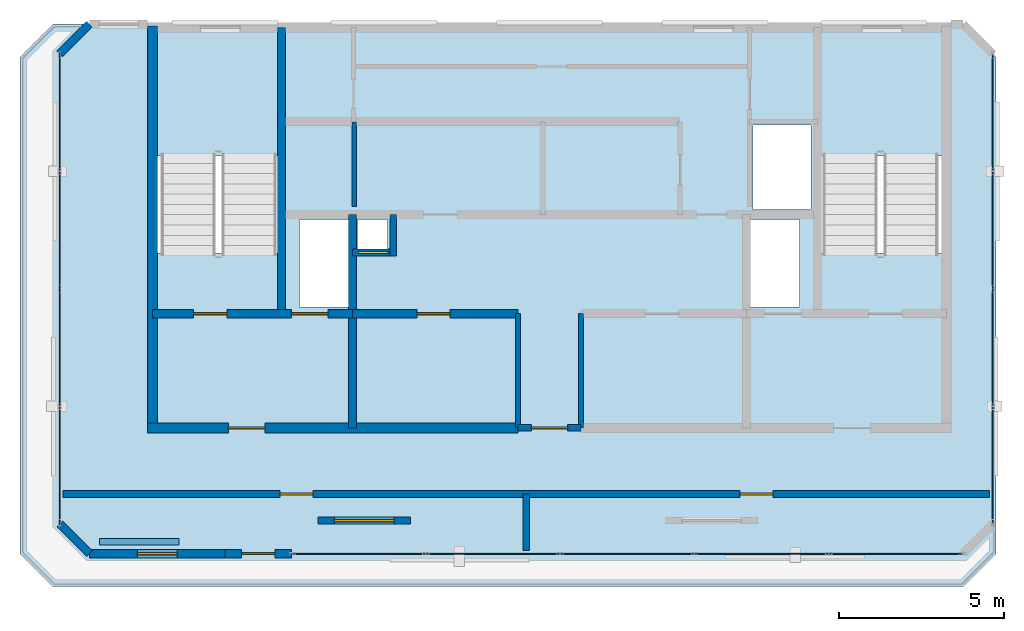
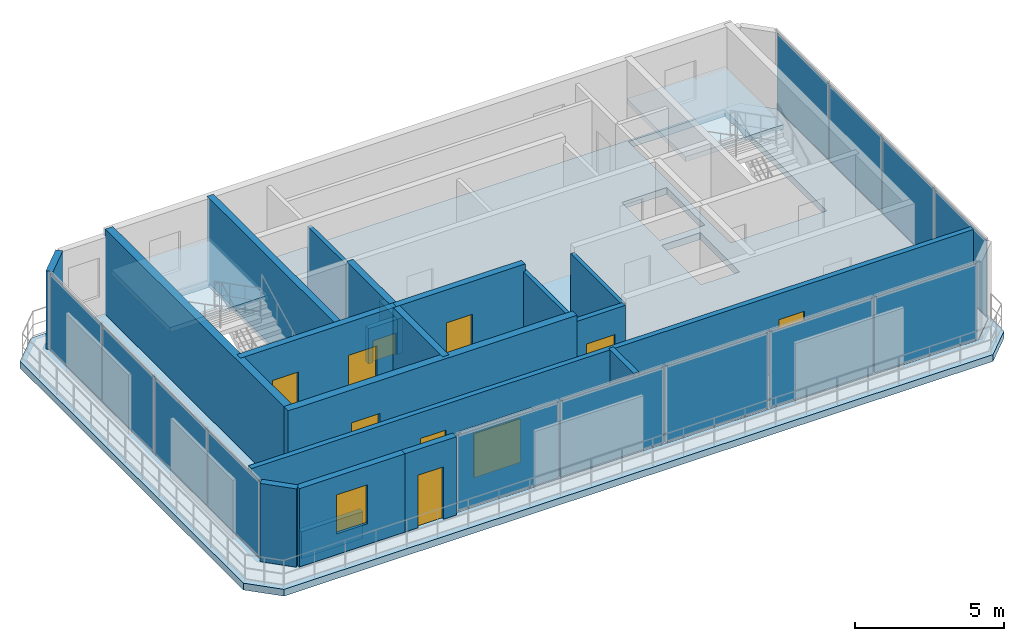
# One storey, part 5 of 7: 20 walls, 13 plates, 9 doors, 4 slabs, 2 windows, 11 openings, 5 elements without a shape of their own.
"""IFC4 building model written with IfcOpenShell, lengths in metres."""

from ifc_helpers import new_model, si_unit, direction, frame, frame_2d, origin, origin_2d, place, context, subcontext, project, spatial, polyline, rectangle, outline, extrude, material, layer, layer_set, type_object, element, fill, aggregate, save


model = new_model("IFC4")

# Units and contexts
model_context = context("Model", 3, precision=1e-05, world=origin(), true_north=direction((0.0, 1.0)))
body_context = subcontext(model_context, "Body", "Model", "MODEL_VIEW")
ifc_project = project(units=[si_unit("LENGTHUNIT", "METRE"), si_unit("AREAUNIT", "SQUARE_METRE"), si_unit("VOLUMEUNIT", "CUBIC_METRE"), si_unit("PLANEANGLEUNIT", "RADIAN"), si_unit("MASSUNIT", "GRAM", prefix="KILO")], contexts=[model_context])

# Site, building, storey
site_placement = place(None, origin())
site = spatial("IfcSite", under=ifc_project, at=site_placement, CompositionType="ELEMENT")
building_placement = place(site_placement, origin())
building = spatial("IfcBuilding", under=site, at=building_placement, Name="Catumbela Crestline Tower", CompositionType="ELEMENT")
storey_placement = place(building_placement, frame((0.0, 0.0, 308.0)))
storey = spatial("IfcBuildingStorey", under=building, at=storey_placement, Name="L79", CompositionType="ELEMENT", Elevation=308.0)

# Curtain wall, plates
ifc_material_1 = material(Name="Aluminium alloy AW-6060-T66", Category="aluminium")
ifc_layer_1 = layer(ifc_material_1, 0.18, Name="Aluminium alloy AW-6060-T66")
ifc_layer_set_1 = layer_set([ifc_layer_1], Name="Aluminium alloy AW-6060-T66")
curtain_wall_type = type_object("IfcCurtainWallType", Name="CWS-OBS", PredefinedType="USERDEFINED", material=ifc_layer_set_1)
curtain_wall_1_placement = place(storey_placement, origin())
curtain_wall_1 = element("IfcCurtainWall", 1, at=curtain_wall_1_placement, inside=storey, type_object=curtain_wall_type, Name="L79 Stick Curtain Wall CW-L79-E0S2", ObjectType="STICK", PredefinedType="USERDEFINED")
ifc_material_2 = material(Name="Low-E laminated solar-control double glazing", Category="glass")
ifc_layer_2 = layer(ifc_material_2, 0.036, Name="Low-E laminated solar-control double glazing")
ifc_layer_set_2 = layer_set([ifc_layer_2], Name="Low-E laminated solar-control double glazing")
plate_type = type_object("IfcPlateType", Name="PNL-GLZ-OB", PredefinedType="CURTAIN_PANEL", material=ifc_layer_set_2)
plate_1_placement = place(storey_placement, frame((22.2462, 27.0, 0.06), z_axis=(0.0, 0.0, 1.0), x_axis=(1.0, 0.0, 0.0)))
plate_1 = element("IfcPlate", 2, at=plate_1_placement, type_object=plate_type, Name="CWS-OBS panel 1.1", PredefinedType="CURTAIN_PANEL", context=body_context, shape_type="SweptSolid", body=[
    extrude(rectangle(XDim=3.9625, YDim=0.034, at=origin_2d()), origin(), (0.0, 0.0, 1.0), 3.09),
])
plate_2_placement = place(storey_placement, frame((26.29, 27.0, 0.06), z_axis=(0.0, 0.0, 1.0), x_axis=(1.0, 0.0, 0.0)))
plate_2 = element("IfcPlate", 3, at=plate_2_placement, type_object=plate_type, Name="CWS-OBS panel 2.1", PredefinedType="CURTAIN_PANEL", context=body_context, shape_type="SweptSolid", body=[
    extrude(rectangle(XDim=3.995, YDim=0.034, at=origin_2d()), origin(), (0.0, 0.0, 1.0), 3.09),
])
plate_3_placement = place(storey_placement, frame((30.35, 27.0, 0.06), z_axis=(0.0, 0.0, 1.0), x_axis=(1.0, 0.0, 0.0)))
plate_3 = element("IfcPlate", 4, at=plate_3_placement, type_object=plate_type, Name="CWS-OBS panel 3.1", PredefinedType="CURTAIN_PANEL", context=body_context, shape_type="SweptSolid", body=[
    extrude(rectangle(XDim=3.995, YDim=0.034, at=origin_2d()), origin(), (0.0, 0.0, 1.0), 3.09),
])
plate_4_placement = place(storey_placement, frame((34.41, 27.0, 0.06), z_axis=(0.0, 0.0, 1.0), x_axis=(1.0, 0.0, 0.0)))
plate_4 = element("IfcPlate", 5, at=plate_4_placement, type_object=plate_type, Name="CWS-OBS panel 4.1", PredefinedType="CURTAIN_PANEL", context=body_context, shape_type="SweptSolid", body=[
    extrude(rectangle(XDim=3.995, YDim=0.034, at=origin_2d()), origin(), (0.0, 0.0, 1.0), 3.09),
])
plate_5_placement = place(storey_placement, frame((38.4538, 27.0, 0.06), z_axis=(0.0, 0.0, 1.0), x_axis=(1.0, 0.0, 0.0)))
plate_5 = element("IfcPlate", 6, at=plate_5_placement, type_object=plate_type, Name="CWS-OBS panel 5.1", PredefinedType="CURTAIN_PANEL", context=body_context, shape_type="SweptSolid", body=[
    extrude(rectangle(XDim=3.9625, YDim=0.034, at=origin_2d()), origin(), (0.0, 0.0, 1.0), 3.09),
])
aggregate(curtain_wall_1, [plate_1, plate_2, plate_3, plate_4, plate_5])

curtain_wall_2_placement = place(storey_placement, origin())
curtain_wall_2 = element("IfcCurtainWall", 7, at=curtain_wall_2_placement, inside=storey, type_object=curtain_wall_type, Name="L79 Stick Curtain Wall CW-L79-E2S1", ObjectType="STICK", PredefinedType="USERDEFINED")
plate_6_placement = place(storey_placement, frame((41.4, 29.6912, 0.06), z_axis=(0.0, 0.0, 1.0), x_axis=(0.0, 1.0, 0.0)))
plate_6 = element("IfcPlate", 8, at=plate_6_placement, type_object=plate_type, Name="CWS-OBS panel 1.1", PredefinedType="CURTAIN_PANEL", context=body_context, shape_type="SweptSolid", body=[
    extrude(rectangle(XDim=3.4525, YDim=0.034, at=origin_2d()), origin(), (0.0, 0.0, 1.0), 3.09),
])
plate_7_placement = place(storey_placement, frame((41.4, 33.225, 0.06), z_axis=(0.0, 0.0, 1.0), x_axis=(0.0, 1.0, 0.0)))
plate_7 = element("IfcPlate", 9, at=plate_7_placement, type_object=plate_type, Name="CWS-OBS panel 2.1", PredefinedType="CURTAIN_PANEL", context=body_context, shape_type="SweptSolid", body=[
    extrude(rectangle(XDim=3.485, YDim=0.034, at=origin_2d()), origin(), (0.0, 0.0, 1.0), 3.09),
])
plate_8_placement = place(storey_placement, frame((41.4, 36.775, 0.06), z_axis=(0.0, 0.0, 1.0), x_axis=(0.0, 1.0, 0.0)))
plate_8 = element("IfcPlate", 10, at=plate_8_placement, type_object=plate_type, Name="CWS-OBS panel 3.1", PredefinedType="CURTAIN_PANEL", context=body_context, shape_type="SweptSolid", body=[
    extrude(rectangle(XDim=3.485, YDim=0.034, at=origin_2d()), origin(), (0.0, 0.0, 1.0), 3.09),
])
plate_9_placement = place(storey_placement, frame((41.4, 40.3088, 0.06), z_axis=(0.0, 0.0, 1.0), x_axis=(0.0, 1.0, 0.0)))
plate_9 = element("IfcPlate", 11, at=plate_9_placement, type_object=plate_type, Name="CWS-OBS panel 4.1", PredefinedType="CURTAIN_PANEL", context=body_context, shape_type="SweptSolid", body=[
    extrude(rectangle(XDim=3.4525, YDim=0.034, at=origin_2d()), origin(), (0.0, 0.0, 1.0), 3.09),
])
aggregate(curtain_wall_2, [plate_6, plate_7, plate_8, plate_9])

curtain_wall_3_placement = place(storey_placement, origin())
curtain_wall_3 = element("IfcCurtainWall", 12, at=curtain_wall_3_placement, inside=storey, type_object=curtain_wall_type, Name="L79 Stick Curtain Wall CW-L79-E6S1", ObjectType="STICK", PredefinedType="USERDEFINED")
plate_10_placement = place(storey_placement, frame((13.2, 40.3088, 0.06), z_axis=(0.0, 0.0, 1.0), x_axis=(0.0, -1.0, 0.0)))
plate_10 = element("IfcPlate", 13, at=plate_10_placement, type_object=plate_type, Name="CWS-OBS panel 1.1", PredefinedType="CURTAIN_PANEL", context=body_context, shape_type="SweptSolid", body=[
    extrude(rectangle(XDim=3.4525, YDim=0.034, at=origin_2d()), origin(), (0.0, 0.0, 1.0), 3.09),
])
plate_11_placement = place(storey_placement, frame((13.2, 36.775, 0.06), z_axis=(0.0, 0.0, 1.0), x_axis=(0.0, -1.0, 0.0)))
plate_11 = element("IfcPlate", 14, at=plate_11_placement, type_object=plate_type, Name="CWS-OBS panel 2.1", PredefinedType="CURTAIN_PANEL", context=body_context, shape_type="SweptSolid", body=[
    extrude(rectangle(XDim=3.485, YDim=0.034, at=origin_2d()), origin(), (0.0, 0.0, 1.0), 3.09),
])
plate_12_placement = place(storey_placement, frame((13.2, 33.225, 0.06), z_axis=(0.0, 0.0, 1.0), x_axis=(0.0, -1.0, 0.0)))
plate_12 = element("IfcPlate", 15, at=plate_12_placement, type_object=plate_type, Name="CWS-OBS panel 3.1", PredefinedType="CURTAIN_PANEL", context=body_context, shape_type="SweptSolid", body=[
    extrude(rectangle(XDim=3.485, YDim=0.034, at=origin_2d()), origin(), (0.0, 0.0, 1.0), 3.09),
])
plate_13_placement = place(storey_placement, frame((13.2, 29.6912, 0.06), z_axis=(0.0, 0.0, 1.0), x_axis=(0.0, -1.0, 0.0)))
plate_13 = element("IfcPlate", 16, at=plate_13_placement, type_object=plate_type, Name="CWS-OBS panel 4.1", PredefinedType="CURTAIN_PANEL", context=body_context, shape_type="SweptSolid", body=[
    extrude(rectangle(XDim=3.4525, YDim=0.034, at=origin_2d()), origin(), (0.0, 0.0, 1.0), 3.09),
])
aggregate(curtain_wall_3, [plate_10, plate_11, plate_12, plate_13])

# Slabs
ifc_material_3 = material(Name="Concrete C45/55", Category="concrete")
ifc_layer_3 = layer(ifc_material_3, 0.28, Name="Concrete C45/55")
ifc_layer_set_3 = layer_set([ifc_layer_3], Name="Concrete C45/55")
slab_type_1 = type_object("IfcSlabType", Name="SL-280C", PredefinedType="FLOOR", material=ifc_layer_set_3)
slab_1_placement = place(storey_placement, frame((0.0, 0.0, -0.28)))
element("IfcSlab", 17, at=slab_1_placement, inside=storey, type_object=slab_type_1, Name="L79 Structural Floor Slab", PredefinedType="FLOOR", context=body_context, shape_type="SweptSolid", body=[
    extrude(outline(polyline([(14.1, 27.0), (40.5, 27.0), (41.4, 27.9), (41.4, 42.1), (40.5, 43.0), (14.1, 43.0), (13.2, 42.1), (13.2, 27.9), (14.1, 27.0)]), holes=[polyline([(16.13, 36.08), (19.87, 36.08), (19.87, 42.92), (16.13, 42.92), (16.13, 36.08)]), polyline([(36.13, 36.08), (39.87, 36.08), (39.87, 42.92), (36.13, 42.92), (36.13, 36.08)]), polyline([(20.45, 34.45), (21.95, 34.45), (21.95, 37.1), (20.45, 37.1), (20.45, 34.45)]), polyline([(34.05, 34.45), (35.55, 34.45), (35.55, 37.1), (34.05, 37.1), (34.05, 34.45)]), polyline([(34.15, 37.4), (35.9, 37.4), (35.9, 39.95), (34.15, 39.95), (34.15, 37.4)]), polyline([(22.2, 36.2), (23.1, 36.2), (23.1, 37.1), (22.2, 37.1), (22.2, 36.2)])]), origin(), (0.0, 0.0, 1.0), 0.28),
])
ifc_layer_4 = layer(ifc_material_3, 0.28, Name="Concrete C45/55")
ifc_layer_set_4 = layer_set([ifc_layer_4], Name="Concrete C45/55")
slab_type_2 = type_object("IfcSlabType", Name="SR-280C", PredefinedType="ROOF", material=ifc_layer_set_4)
slab_2_placement = place(storey_placement, frame((0.0, 0.0, -0.28)))
element("IfcSlab", 18, at=slab_2_placement, inside=storey, type_object=slab_type_2, Name="L79 Stepped Terrace Cap Roof Slab 1", PredefinedType="ROOF", context=body_context, shape_type="SweptSolid", body=[
    extrude(outline(polyline([(41.5, 27.0), (40.5, 26.0), (13.0, 26.0), (12.0, 27.0), (12.0, 42.0), (13.0, 43.0), (14.0859, 43.0), (13.19, 42.1041), (13.19, 27.8959), (14.0959, 26.99), (40.5041, 26.99), (41.41, 27.8959), (41.41, 42.09), (41.5, 42.0), (41.5, 27.0)])), origin(), (0.0, 0.0, 1.0), 0.28),
])

# Stair, slab
stair_type = type_object("IfcStairType", Name="ST-DLG", PredefinedType="HALF_TURN_STAIR", material=ifc_material_3)
stair_1_placement = place(storey_placement, origin())
stair_1 = element("IfcStair", 19, at=stair_1_placement, inside=storey, type_object=stair_type, Name="L79 West Core Pressurised Exit Stair ST-01", PredefinedType="HALF_TURN_STAIR")
ifc_layer_5 = layer(ifc_material_3, 0.2, Name="Concrete C45/55")
ifc_layer_set_5 = layer_set([ifc_layer_5], Name="Concrete C45/55")
slab_type_3 = type_object("IfcSlabType", Name="SL-LND", PredefinedType="LANDING", material=ifc_layer_set_5)
slab_3_placement = place(storey_placement, frame((0.0, 0.0, 1.55)))
slab_3 = element("IfcSlab", 20, at=slab_3_placement, type_object=slab_type_3, Name="ST-01 landing 1", PredefinedType="LANDING", context=body_context, shape_type="SweptSolid", body=[
    extrude(outline(polyline([(19.91, 39.02), (19.91, 42.96), (16.09, 42.96), (16.09, 39.02), (19.91, 39.02)])), origin(), (0.0, 0.0, 1.0), 0.2),
])
aggregate(stair_1, [slab_3])

stair_2_placement = place(storey_placement, origin())
stair_2 = element("IfcStair", 21, at=stair_2_placement, inside=storey, type_object=stair_type, Name="L79 East Core Pressurised Exit Stair ST-02", PredefinedType="HALF_TURN_STAIR")
slab_4_placement = place(storey_placement, frame((0.0, 0.0, 1.55)))
slab_4 = element("IfcSlab", 22, at=slab_4_placement, type_object=slab_type_3, Name="ST-02 landing 1", PredefinedType="LANDING", context=body_context, shape_type="SweptSolid", body=[
    extrude(outline(polyline([(39.91, 39.02), (39.91, 42.96), (36.09, 42.96), (36.09, 39.02), (39.91, 39.02)])), origin(), (0.0, 0.0, 1.0), 0.2),
])
aggregate(stair_2, [slab_4])

# Walls
ifc_material_4 = material(Name="Concrete C50/60", Category="concrete")
ifc_layer_6 = layer(ifc_material_4, 0.25, Name="Concrete C50/60")
ifc_layer_set_6 = layer_set([ifc_layer_6], Name="Concrete C50/60")
wall_type_1 = type_object("IfcWallType", Name="CW-250D", PredefinedType="SHEAR", material=ifc_layer_set_6)
wall_1_placement = place(storey_placement, frame((19.9, 34.25, 0.0), z_axis=(0.0, 0.0, 1.0), x_axis=(0.0, 1.0, 0.0)))
element("IfcWall", 23, at=wall_1_placement, inside=storey, type_object=wall_type_1, Name="L79 Structural Core Shear Wall WWEB", PredefinedType="SHEAR", context=body_context, shape_type="SweptSolid", body=[
    extrude(rectangle(XDim=8.65, YDim=0.25, at=frame_2d((4.325, 0.0))), origin(), (0.0, 0.0, 1.0), 3.5),
])
wall_2_placement = place(storey_placement, frame((22.05, 30.8, 0.0), z_axis=(0.0, 0.0, 1.0), x_axis=(0.0, 1.0, 0.0)))
element("IfcWall", 24, at=wall_2_placement, inside=storey, type_object=wall_type_1, Name="L79 Structural Core Shear Wall FFW", PredefinedType="SHEAR", context=body_context, shape_type="SweptSolid", body=[
    extrude(rectangle(XDim=6.45, YDim=0.25, at=frame_2d((3.225, 0.0))), origin(), (0.0, 0.0, 1.0), 3.5),
])

# Wall, openings, doors
wall_3_placement = place(storey_placement, frame((16.0, 34.25, 0.0), z_axis=(0.0, 0.0, 1.0), x_axis=(1.0, 0.0, 0.0)))
wall_3 = element("IfcWall", 25, at=wall_3_placement, inside=storey, type_object=wall_type_1, Name="L79 Structural Core Shear Wall ST1S", PredefinedType="SHEAR", context=body_context, shape_type="SweptSolid", body=[
    extrude(rectangle(XDim=6.05, YDim=0.25, at=frame_2d((3.025, 0.0))), origin(), (0.0, 0.0, 1.0), 3.5),
])
opening_1_placement = place(wall_3_placement, frame((1.25, 0.0, 0.0)))
opening_1 = element("IfcOpeningElement", 26, at=opening_1_placement, cuts=wall_3, Name="Opening DF9-100", PredefinedType="OPENING", context=body_context, shape_type="SweptSolid", body=[
    extrude(rectangle(XDim=1.0, YDim=2.15, at=frame_2d((0.5, 1.075))), frame((0.0, 0.135, 0.0), z_axis=(0.0, -1.0, 0.0), x_axis=(1.0, 0.0, 0.0)), (0.0, 0.0, 1.0), 0.27),
])
opening_2_placement = place(wall_3_placement, frame((4.2, 0.0, 0.0)))
opening_2 = element("IfcOpeningElement", 27, at=opening_2_placement, cuts=wall_3, Name="Opening LD-110", PredefinedType="OPENING", context=body_context, shape_type="SweptSolid", body=[
    extrude(rectangle(XDim=1.1, YDim=2.15, at=frame_2d((0.55, 1.075))), frame((0.0, 0.135, 0.0), z_axis=(0.0, -1.0, 0.0), x_axis=(1.0, 0.0, 0.0)), (0.0, 0.0, 1.0), 0.27),
])
ifc_material_5 = material(Name="Stainless steel EN 1.4401", Category="steel")
door_type_1 = type_object("IfcDoorType", Name="DF9-100", OperationType="NOTDEFINED", PredefinedType="DOOR", material=ifc_material_5)
door_1_placement = place(opening_1_placement, origin())
door_1 = element("IfcDoor", 28, at=door_1_placement, inside=storey, type_object=door_type_1, Name="L79 Interior Door DR-L79-ST01", OperationType="SINGLE_SWING_LEFT", OverallHeight=2.15, OverallWidth=1.0, PredefinedType="DOOR", context=body_context, shape_type="SweptSolid", body=[
    extrude(rectangle(XDim=1.0, YDim=2.15, at=frame_2d((0.5, 1.075))), frame((0.0, 0.025, 0.0), z_axis=(0.0, -1.0, 0.0), x_axis=(1.0, 0.0, 0.0)), (0.0, 0.0, 1.0), 0.05),
])
fill(opening_1, door_1)
door_type_2 = type_object("IfcDoorType", Name="LD-110", OperationType="NOTDEFINED", PredefinedType="DOOR", material=ifc_material_5)
door_2_placement = place(opening_2_placement, origin())
door_2 = element("IfcDoor", 29, at=door_2_placement, inside=storey, type_object=door_type_2, Name="L79 Lift Landing Sliding Door FL-01", OperationType="DOUBLE_DOOR_SLIDING", OverallHeight=2.15, OverallWidth=1.1, PredefinedType="DOOR", context=body_context, shape_type="SweptSolid", body=[
    extrude(rectangle(XDim=1.1, YDim=2.15, at=frame_2d((0.55, 1.075))), frame((0.0, 0.025, 0.0), z_axis=(0.0, -1.0, 0.0), x_axis=(1.0, 0.0, 0.0)), (0.0, 0.0, 1.0), 0.05),
])
fill(opening_2, door_2)

# Wall, opening, door
wall_4_placement = place(storey_placement, frame((22.05, 34.25, 0.0), z_axis=(0.0, 0.0, 1.0), x_axis=(1.0, 0.0, 0.0)))
wall_4 = element("IfcWall", 30, at=wall_4_placement, inside=storey, type_object=wall_type_1, Name="L79 Structural Core Shear Wall LIFTS-W", PredefinedType="SHEAR", context=body_context, shape_type="SweptSolid", body=[
    extrude(rectangle(XDim=5.0, YDim=0.25, at=frame_2d((2.5, 0.0))), origin(), (0.0, 0.0, 1.0), 3.5),
])
opening_3_placement = place(wall_4_placement, frame((1.95, 0.0, 0.0)))
opening_3 = element("IfcOpeningElement", 31, at=opening_3_placement, cuts=wall_4, Name="Opening DF9-100", PredefinedType="OPENING", context=body_context, shape_type="SweptSolid", body=[
    extrude(rectangle(XDim=1.0, YDim=2.15, at=frame_2d((0.5, 1.075))), frame((0.0, 0.135, 0.0), z_axis=(0.0, -1.0, 0.0), x_axis=(1.0, 0.0, 0.0)), (0.0, 0.0, 1.0), 0.27),
])
door_3_placement = place(opening_3_placement, origin())
door_3 = element("IfcDoor", 32, at=door_3_placement, inside=storey, type_object=door_type_1, Name="L79 Interior Door DR-L79-RECL1", OperationType="SINGLE_SWING_LEFT", OverallHeight=2.15, OverallWidth=1.0, PredefinedType="DOOR", context=body_context, shape_type="SweptSolid", body=[
    extrude(rectangle(XDim=1.0, YDim=2.15, at=frame_2d((0.5, 1.075))), frame((0.0, 0.025, 0.0), z_axis=(0.0, -1.0, 0.0), x_axis=(1.0, 0.0, 0.0)), (0.0, 0.0, 1.0), 0.05),
])
fill(opening_3, door_3)

# Wall
ifc_layer_7 = layer(ifc_material_3, 0.3, Name="Concrete C45/55")
ifc_layer_set_7 = layer_set([ifc_layer_7], Name="Concrete C45/55")
wall_type_2 = type_object("IfcWallType", Name="CW-300C", PredefinedType="SHEAR", material=ifc_layer_set_7)
wall_5_placement = place(storey_placement, frame((16.0, 30.65, 0.0), z_axis=(0.0, 0.0, 1.0), x_axis=(0.0, 1.0, 0.0)))
element("IfcWall", 33, at=wall_5_placement, inside=storey, type_object=wall_type_2, Name="L79 Structural Core Shear Wall W", PredefinedType="SHEAR", context=body_context, shape_type="SweptSolid", body=[
    extrude(rectangle(XDim=12.3, YDim=0.3, at=frame_2d((6.15, 0.0))), origin(), (0.0, 0.0, 1.0), 3.5),
])

# Wall, opening, door
wall_6_placement = place(storey_placement, frame((15.85, 30.8, 0.0), z_axis=(0.0, 0.0, 1.0), x_axis=(1.0, 0.0, 0.0)))
wall_6 = element("IfcWall", 34, at=wall_6_placement, inside=storey, type_object=wall_type_2, Name="L79 Structural Core Shear Wall SW", PredefinedType="SHEAR", context=body_context, shape_type="SweptSolid", body=[
    extrude(rectangle(XDim=11.2, YDim=0.3, at=frame_2d((5.6, 0.0))), origin(), (0.0, 0.0, 1.0), 3.5),
])
opening_4_placement = place(wall_6_placement, frame((2.45, 0.0, 0.0)))
opening_4 = element("IfcOpeningElement", 35, at=opening_4_placement, cuts=wall_6, Name="Opening DF9-110", PredefinedType="OPENING", context=body_context, shape_type="SweptSolid", body=[
    extrude(rectangle(XDim=1.1, YDim=2.15, at=frame_2d((0.55, 1.075))), frame((0.0, 0.16, 0.0), z_axis=(0.0, -1.0, 0.0), x_axis=(1.0, 0.0, 0.0)), (0.0, 0.0, 1.0), 0.32),
])
door_type_3 = type_object("IfcDoorType", Name="DF9-110", OperationType="NOTDEFINED", PredefinedType="DOOR", material=ifc_material_5)
door_4_placement = place(opening_4_placement, origin())
door_4 = element("IfcDoor", 36, at=door_4_placement, inside=storey, type_object=door_type_3, Name="L79 Interior Door DR-L79-FFW-S", OperationType="SINGLE_SWING_LEFT", OverallHeight=2.15, OverallWidth=1.1, PredefinedType="DOOR", context=body_context, shape_type="SweptSolid", body=[
    extrude(rectangle(XDim=1.1, YDim=2.15, at=frame_2d((0.55, 1.075))), frame((0.0, 0.025, 0.0), z_axis=(0.0, -1.0, 0.0), x_axis=(1.0, 0.0, 0.0)), (0.0, 0.0, 1.0), 0.05),
])
fill(opening_4, door_4)

ifc_material_6 = material(Name="Acoustic gypsum and mineral-wool partition")
ifc_layer_8 = layer(ifc_material_6, 0.2, Name="Acoustic gypsum and mineral-wool partition")
ifc_layer_set_8 = layer_set([ifc_layer_8], Name="Acoustic gypsum and mineral-wool partition")
wall_type_3 = type_object("IfcWallType", Name="WC-200", PredefinedType="PARTITIONING", material=ifc_layer_set_8)
wall_7_placement = place(storey_placement, frame((27.05, 30.8, 0.0), z_axis=(0.0, 0.0, 1.0), x_axis=(1.0, 0.0, 0.0)))
wall_7 = element("IfcWall", 37, at=wall_7_placement, inside=storey, type_object=wall_type_3, Name="L79 Interior Partition PW-L79-CLOBS", PredefinedType="PARTITIONING", context=body_context, shape_type="SweptSolid", body=[
    extrude(rectangle(XDim=1.9, YDim=0.2, at=frame_2d((0.95, 0.0))), origin(), (0.0, 0.0, 1.0), 3.21),
])
opening_5_placement = place(wall_7_placement, frame((0.4, 0.0, 0.0)))
opening_5 = element("IfcOpeningElement", 38, at=opening_5_placement, cuts=wall_7, Name="Opening DF9-110", PredefinedType="OPENING", context=body_context, shape_type="SweptSolid", body=[
    extrude(rectangle(XDim=1.1, YDim=2.15, at=frame_2d((0.55, 1.075))), frame((0.0, 0.11, 0.0), z_axis=(0.0, -1.0, 0.0), x_axis=(1.0, 0.0, 0.0)), (0.0, 0.0, 1.0), 0.22),
])
door_5_placement = place(opening_5_placement, origin())
door_5 = element("IfcDoor", 39, at=door_5_placement, inside=storey, type_object=door_type_3, Name="L79 Interior Door DR-L79-CLOBS", OperationType="SINGLE_SWING_LEFT", OverallHeight=2.15, OverallWidth=1.1, PredefinedType="DOOR", context=body_context, shape_type="SweptSolid", body=[
    extrude(rectangle(XDim=1.1, YDim=2.15, at=frame_2d((0.55, 1.075))), frame((0.0, 0.025, 0.0), z_axis=(0.0, -1.0, 0.0), x_axis=(1.0, 0.0, 0.0)), (0.0, 0.0, 1.0), 0.05),
])
fill(opening_5, door_5)

# Wall, openings, doors
wall_8_placement = place(storey_placement, frame((13.3, 28.8, 0.0), z_axis=(0.0, 0.0, 1.0), x_axis=(1.0, 0.0, 0.0)))
wall_8 = element("IfcWall", 40, at=wall_8_placement, inside=storey, type_object=wall_type_3, Name="L79 Interior Partition PW-L79-CRP1", PredefinedType="PARTITIONING", context=body_context, shape_type="SweptSolid", body=[
    extrude(rectangle(XDim=28.0, YDim=0.2, at=frame_2d((14.0, 0.0))), origin(), (0.0, 0.0, 1.0), 3.21),
])
opening_6_placement = place(wall_8_placement, frame((6.55, 0.0, 0.0)))
opening_6 = element("IfcOpeningElement", 41, at=opening_6_placement, cuts=wall_8, Name="Opening DF9-100", PredefinedType="OPENING", context=body_context, shape_type="SweptSolid", body=[
    extrude(rectangle(XDim=1.0, YDim=2.15, at=frame_2d((0.5, 1.075))), frame((0.0, 0.11, 0.0), z_axis=(0.0, -1.0, 0.0), x_axis=(1.0, 0.0, 0.0)), (0.0, 0.0, 1.0), 0.22),
])
opening_7_placement = place(wall_8_placement, frame((20.45, 0.0, 0.0)))
opening_7 = element("IfcOpeningElement", 42, at=opening_7_placement, cuts=wall_8, Name="Opening DF9-100", PredefinedType="OPENING", context=body_context, shape_type="SweptSolid", body=[
    extrude(rectangle(XDim=1.0, YDim=2.15, at=frame_2d((0.5, 1.075))), frame((0.0, 0.11, 0.0), z_axis=(0.0, -1.0, 0.0), x_axis=(1.0, 0.0, 0.0)), (0.0, 0.0, 1.0), 0.22),
])
door_6_placement = place(opening_6_placement, origin())
door_6 = element("IfcDoor", 43, at=door_6_placement, inside=storey, type_object=door_type_1, Name="L79 Interior Door DR-L79-CRP1", OperationType="SINGLE_SWING_LEFT", OverallHeight=2.15, OverallWidth=1.0, PredefinedType="DOOR", context=body_context, shape_type="SweptSolid", body=[
    extrude(rectangle(XDim=1.0, YDim=2.15, at=frame_2d((0.5, 1.075))), frame((0.0, 0.025, 0.0), z_axis=(0.0, -1.0, 0.0), x_axis=(1.0, 0.0, 0.0)), (0.0, 0.0, 1.0), 0.05),
])
fill(opening_6, door_6)
door_7_placement = place(opening_7_placement, origin())
door_7 = element("IfcDoor", 44, at=door_7_placement, inside=storey, type_object=door_type_1, Name="L79 Interior Door DR-L79-CRP2", OperationType="SINGLE_SWING_RIGHT", OverallHeight=2.15, OverallWidth=1.0, PredefinedType="DOOR", context=body_context, shape_type="SweptSolid", body=[
    extrude(rectangle(XDim=1.0, YDim=2.15, at=frame_2d((0.5, 1.075))), frame((0.0, 0.025, 0.0), z_axis=(0.0, -1.0, 0.0), x_axis=(1.0, 0.0, 0.0)), (0.0, 0.0, 1.0), 0.05),
])
fill(opening_7, door_7)

# Wall
wall_9_placement = place(storey_placement, frame((27.3, 27.1, 0.0), z_axis=(0.0, 0.0, 1.0), x_axis=(0.0, 1.0, 0.0)))
element("IfcWall", 45, at=wall_9_placement, inside=storey, type_object=wall_type_3, Name="L79 Interior Partition PW-L79-CRPM", PredefinedType="PARTITIONING", context=body_context, shape_type="SweptSolid", body=[
    extrude(rectangle(XDim=1.7, YDim=0.2, at=frame_2d((0.85, 0.0))), origin(), (0.0, 0.0, 1.0), 3.21),
])

# Wall, opening, door
ifc_material_7 = material(Name="Angolan grey-ochre granite", Category="masonry")
ifc_layer_9 = layer(ifc_material_7, 0.25, Name="Angolan grey-ochre granite")
ifc_layer_set_9 = layer_set([ifc_layer_9], Name="Angolan grey-ochre granite")
wall_type_4 = type_object("IfcWallType", Name="WE-250", PredefinedType="STANDARD", material=ifc_layer_set_9)
wall_10_placement = place(storey_placement, frame((18.2, 27.0, 0.0), z_axis=(0.0, 0.0, 1.0), x_axis=(1.0, 0.0, 0.0)))
wall_10 = element("IfcWall", 46, at=wall_10_placement, inside=storey, type_object=wall_type_4, Name="L79 Exterior Threshold Portal Wall DR-L79-STEP-S1", PredefinedType="STANDARD", context=body_context, shape_type="SweptSolid", body=[
    extrude(rectangle(XDim=2.0, YDim=0.25, at=frame_2d((1.0, 0.0))), origin(), (0.0, 0.0, 1.0), 3.21),
])
opening_8_placement = place(wall_10_placement, frame((0.5, 0.0, 0.0)))
opening_8 = element("IfcOpeningElement", 47, at=opening_8_placement, cuts=wall_10, Name="Opening DT-L79", PredefinedType="OPENING", context=body_context, shape_type="SweptSolid", body=[
    extrude(rectangle(XDim=1.0, YDim=2.15, at=frame_2d((0.5, 1.075))), frame((0.0, 0.135, 0.0), z_axis=(0.0, -1.0, 0.0), x_axis=(1.0, 0.0, 0.0)), (0.0, 0.0, 1.0), 0.27),
])
door_type_4 = type_object("IfcDoorType", Name="DB-1000", OperationType="NOTDEFINED", PredefinedType="DOOR", material=ifc_material_1)
door_8_placement = place(opening_8_placement, origin())
door_8 = element("IfcDoor", 48, at=door_8_placement, inside=storey, type_object=door_type_4, Name="L79 Stepped Terrace Access Door", OperationType="SINGLE_SWING_LEFT", OverallHeight=2.15, OverallWidth=1.0, PredefinedType="DOOR", context=body_context, shape_type="SweptSolid", body=[
    extrude(rectangle(XDim=1.0, YDim=2.15, at=frame_2d((0.5, 1.075))), frame((0.0, 0.025, 0.0), z_axis=(0.0, -1.0, 0.0), x_axis=(1.0, 0.0, 0.0)), (0.0, 0.0, 1.0), 0.05),
])
fill(opening_8, door_8)

# Wall, opening, window
wall_11_placement = place(storey_placement, frame((14.1, 27.0, 0.0), z_axis=(0.0, 0.0, 1.0), x_axis=(1.0, 0.0, 0.0)))
wall_11 = element("IfcWall", 49, at=wall_11_placement, inside=storey, type_object=wall_type_4, Name="L79 Granite Punched Window Wall 0-1", PredefinedType="STANDARD", context=body_context, shape_type="SweptSolid", body=[
    extrude(rectangle(XDim=4.1, YDim=0.25, at=frame_2d((2.05, 0.0))), origin(), (0.0, 0.0, 1.0), 3.21),
])
opening_9_placement = place(wall_11_placement, frame((1.45, 0.0, 0.85)))
opening_9 = element("IfcOpeningElement", 50, at=opening_9_placement, cuts=wall_11, Name="Opening WN-02", PredefinedType="OPENING", context=body_context, shape_type="SweptSolid", body=[
    extrude(rectangle(XDim=1.2, YDim=1.6, at=frame_2d((0.6, 0.8))), frame((0.0, 0.135, 0.0), z_axis=(0.0, -1.0, 0.0), x_axis=(1.0, 0.0, 0.0)), (0.0, 0.0, 1.0), 0.27),
])
window_type_1 = type_object("IfcWindowType", Name="WO-1200", PartitioningType="SINGLE_PANEL", PredefinedType="WINDOW", material=ifc_material_2)
window_1_placement = place(opening_9_placement, origin())
window_1 = element("IfcWindow", 51, at=window_1_placement, inside=storey, type_object=window_type_1, Name="L79 Facade Vision Window 644", OverallHeight=1.6, OverallWidth=1.2, PartitioningType="SINGLE_PANEL", PredefinedType="WINDOW", context=body_context, shape_type="SweptSolid", body=[
    extrude(rectangle(XDim=1.2, YDim=1.6, at=frame_2d((0.6, 0.8))), frame((0.0, 0.03, 0.0), z_axis=(0.0, -1.0, 0.0), x_axis=(1.0, 0.0, 0.0)), (0.0, 0.0, 1.0), 0.06),
])
fill(opening_9, window_1)

# Walls
for number, where, z_axis, x_axis, name in (
    (52, (14.1, 43.0, 0.0), (0.0, 0.0, 1.0), (-0.707106781187, -0.707106781187, 0.0), "L79 Granite Punched Window Wall 5-1"),
    (53, (13.2, 27.9, 0.0), (0.0, 0.0, 1.0), (0.707106781187, -0.707106781187, 0.0), "L79 Granite Punched Window Wall 7-1"),
):
    element("IfcWall", number, at=place(storey_placement, frame(where, z_axis=z_axis, x_axis=x_axis)), inside=storey, type_object=wall_type_4, Name=name, PredefinedType="STANDARD", context=body_context, shape_type="SweptSolid", body=[
        extrude(rectangle(XDim=1.2728, YDim=0.25, at=frame_2d((0.6364, 0.0))), origin(), (0.0, 0.0, 1.0), 3.21),
    ])

# Wall, opening, door
ifc_material_8 = material(Name="Concrete C40/50", Category="concrete")
ifc_layer_10 = layer(ifc_material_8, 0.2, Name="Concrete C40/50")
ifc_layer_set_10 = layer_set([ifc_layer_10], Name="Concrete C40/50")
wall_type_5 = type_object("IfcWallType", Name="WK-200", PredefinedType="PARAPET", material=ifc_layer_set_10)
wall_12_placement = place(storey_placement, frame((22.05, 36.1, 0.0), z_axis=(0.0, 0.0, 1.0), x_axis=(1.0, 0.0, 0.0)))
wall_12 = element("IfcWall", 54, at=wall_12_placement, inside=storey, type_object=wall_type_5, Name="L79 Overrun Maintenance Access Bulkhead", PredefinedType="PARAPET", context=body_context, shape_type="SweptSolid", body=[
    extrude(rectangle(XDim=1.33, YDim=0.2, at=frame_2d((0.665, 0.0))), origin(), (0.0, 0.0, 1.0), 1.45),
])
opening_10_placement = place(wall_12_placement, frame((0.18, 0.0, 0.0)))
opening_10 = element("IfcOpeningElement", 55, at=opening_10_placement, cuts=wall_12, Name="Opening DH-03", PredefinedType="OPENING", context=body_context, shape_type="SweptSolid", body=[
    extrude(rectangle(XDim=0.9, YDim=0.9, at=frame_2d((0.45, 0.45))), frame((0.0, 0.11, 0.0), z_axis=(0.0, -1.0, 0.0), x_axis=(1.0, 0.0, 0.0)), (0.0, 0.0, 1.0), 0.22),
])
door_type_5 = type_object("IfcDoorType", Name="DH-0900", OperationType="NOTDEFINED", PredefinedType="TRAPDOOR", material=ifc_material_5)
door_9_placement = place(opening_10_placement, origin())
door_9 = element("IfcDoor", 56, at=door_9_placement, inside=storey, type_object=door_type_5, Name="L79 Maintenance Access Trapdoor 3", OperationType="SINGLE_SWING_LEFT", OverallHeight=0.9, OverallWidth=0.9, PredefinedType="TRAPDOOR", context=body_context, shape_type="SweptSolid", body=[
    extrude(rectangle(XDim=0.9, YDim=0.9, at=frame_2d((0.45, 0.45))), frame((0.0, 0.025, 0.0), z_axis=(0.0, -1.0, 0.0), x_axis=(1.0, 0.0, 0.0)), (0.0, 0.0, 1.0), 0.05),
])
fill(opening_10, door_9)

# Walls
wall_13_placement = place(storey_placement, frame((23.28, 36.0, 0.0), z_axis=(0.0, 0.0, 1.0), x_axis=(0.0, 1.0, 0.0)))
element("IfcWall", 57, at=wall_13_placement, inside=storey, type_object=wall_type_5, Name="L79 Overrun Maintenance Access East Kerb", PredefinedType="PARAPET", context=body_context, shape_type="SweptSolid", body=[
    extrude(rectangle(XDim=1.25, YDim=0.2, at=frame_2d((0.625, 0.0))), origin(), (0.0, 0.0, 1.0), 1.45),
])
ifc_layer_11 = layer(ifc_material_8, 0.2, Name="Concrete C40/50")
ifc_layer_set_11 = layer_set([ifc_layer_11], Name="Concrete C40/50")
wall_type_6 = type_object("IfcWallType", Name="WP-200", PredefinedType="PARAPET", material=ifc_layer_set_11)
wall_14_placement = place(storey_placement, frame((14.4, 27.36, 0.0), z_axis=(0.0, 0.0, 1.0), x_axis=(1.0, 0.0, 0.0)))
element("IfcWall", 58, at=wall_14_placement, inside=storey, type_object=wall_type_6, Name="L79 Crown Terrace Parapet Upstand 3", PredefinedType="PARAPET", context=body_context, shape_type="SweptSolid", body=[
    extrude(rectangle(XDim=2.4, YDim=0.2, at=frame_2d((1.2, 0.0))), origin(), (0.0, 0.0, 1.0), 1.1),
])

# Wall, opening, window
wall_15_placement = place(storey_placement, frame((21.0, 28.0, 0.0), z_axis=(0.0, 0.0, 1.0), x_axis=(1.0, 0.0, 0.0)))
wall_15 = element("IfcWall", 59, at=wall_15_placement, inside=storey, type_object=wall_type_6, Name="L79 Belvedere Clerestory Skylight Upstand 5", PredefinedType="PARAPET", context=body_context, shape_type="SweptSolid", body=[
    extrude(rectangle(XDim=2.8, YDim=0.2, at=frame_2d((1.4, 0.0))), origin(), (0.0, 0.0, 1.0), 2.4),
])
opening_11_placement = place(wall_15_placement, frame((0.5, 0.0, 0.4)))
opening_11 = element("IfcOpeningElement", 60, at=opening_11_placement, cuts=wall_15, Name="Opening WS-05", PredefinedType="OPENING", context=body_context, shape_type="SweptSolid", body=[
    extrude(rectangle(XDim=1.8, YDim=1.8, at=frame_2d((0.9, 0.9))), frame((0.0, 0.11, 0.0), z_axis=(0.0, -1.0, 0.0), x_axis=(1.0, 0.0, 0.0)), (0.0, 0.0, 1.0), 0.22),
])
window_type_2 = type_object("IfcWindowType", Name="WS-1800", PartitioningType="SINGLE_PANEL", PredefinedType="SKYLIGHT", material=ifc_material_2)
window_2_placement = place(opening_11_placement, origin())
window_2 = element("IfcWindow", 61, at=window_2_placement, inside=storey, type_object=window_type_2, Name="L79 Laminated Clerestory Skylight 5", OverallHeight=1.8, OverallWidth=1.8, PartitioningType="SINGLE_PANEL", PredefinedType="SKYLIGHT", context=body_context, shape_type="SweptSolid", body=[
    extrude(rectangle(XDim=1.8, YDim=1.8, at=frame_2d((0.9, 0.9))), frame((0.0, 0.03, 0.0), z_axis=(0.0, -1.0, 0.0), x_axis=(1.0, 0.0, 0.0)), (0.0, 0.0, 1.0), 0.06),
])
fill(opening_11, window_2)

# Walls
ifc_layer_12 = layer(ifc_material_6, 0.15, Name="Acoustic gypsum and mineral-wool partition")
ifc_layer_set_12 = layer_set([ifc_layer_12], Name="Acoustic gypsum and mineral-wool partition")
wall_type_7 = type_object("IfcWallType", Name="WS-150", PredefinedType="PLUMBINGWALL", material=ifc_layer_set_12)
for number, where, z_axis, x_axis, name in (
    (62, (27.05, 30.8, 0.0), (0.0, 0.0, 1.0), (0.0, 1.0, 0.0), "L79 Interior Partition PW-L79-THRW"),
    (63, (28.95, 30.8, 0.0), (0.0, 0.0, 1.0), (0.0, 1.0, 0.0), "L79 Interior Partition PW-L79-THRE"),
):
    element("IfcWall", number, at=place(storey_placement, frame(where, z_axis=z_axis, x_axis=x_axis)), inside=storey, type_object=wall_type_7, Name=name, PredefinedType="PLUMBINGWALL", context=body_context, shape_type="SweptSolid", body=[
        extrude(rectangle(XDim=3.45, YDim=0.15, at=frame_2d((1.725, 0.0))), origin(), (0.0, 0.0, 1.0), 3.21),
    ])
wall_16_placement = place(storey_placement, frame((22.1, 37.4897, 0.0), z_axis=(0.0, 0.0, 1.0), x_axis=(0.0, 1.0, 0.0)))
element("IfcWall", 64, at=wall_16_placement, inside=storey, type_object=wall_type_7, Name="L79 Interior Partition PW-L79-SHH0", PredefinedType="PLUMBINGWALL", context=body_context, shape_type="SweptSolid", body=[
    extrude(rectangle(XDim=2.5603, YDim=0.15, at=frame_2d((1.2801, 0.0))), origin(), (0.0, 0.0, 1.0), 3.21),
])

save(model, "model.ifc")
